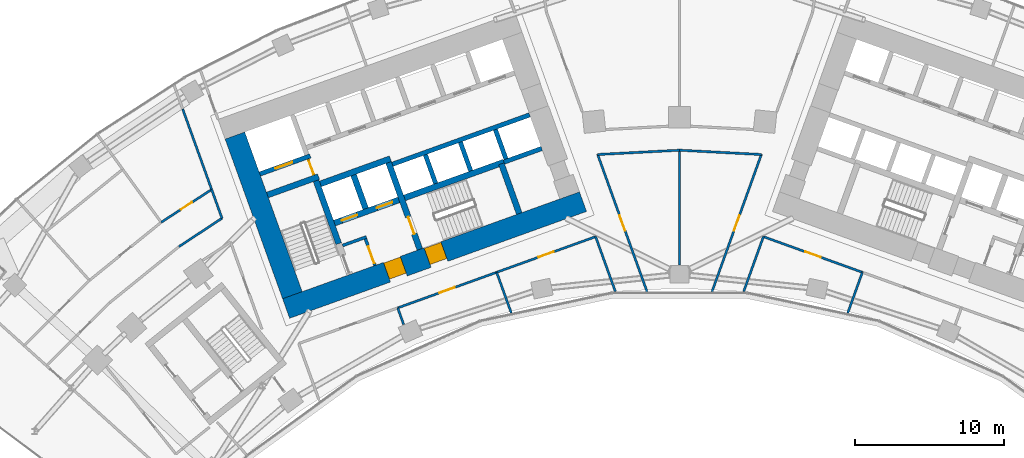
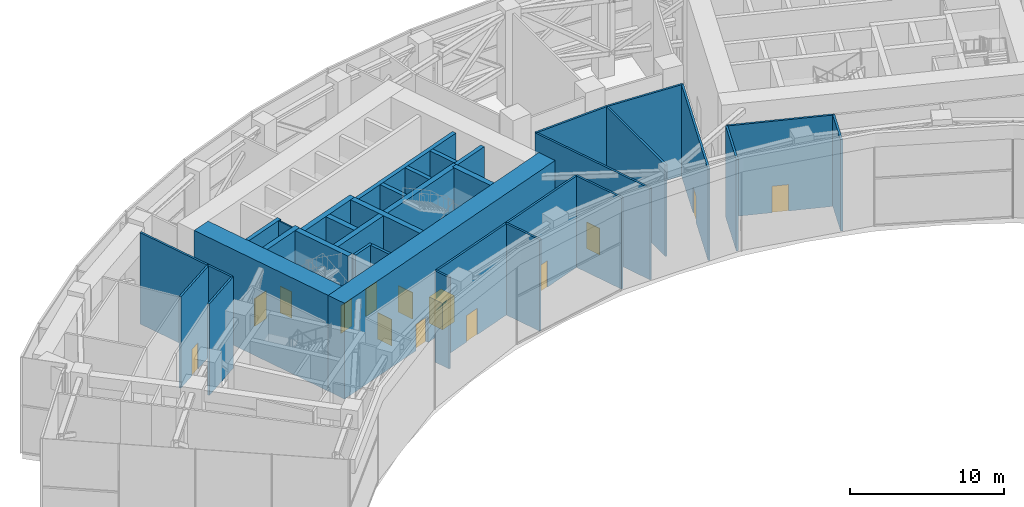
# One storey, part 23 of 30: 35 walls, 14 doors, 14 openings.
"""IFC4 building model written with IfcOpenShell, lengths in metres."""

from ifc_helpers import new_model, si_unit, direction, frame, frame_2d, origin, place, context, subcontext, project, spatial, rectangle, extrude, material, layer, layer_set, type_object, element, fill, save


model = new_model("IFC4")

# Units and contexts
model_context = context("Model", 3, precision=1e-05, world=origin(), true_north=direction((0.0, 1.0)))
body_context = subcontext(model_context, "Body", "Model", "MODEL_VIEW")
ifc_project = project(units=[si_unit("LENGTHUNIT", "METRE"), si_unit("AREAUNIT", "SQUARE_METRE"), si_unit("VOLUMEUNIT", "CUBIC_METRE"), si_unit("PLANEANGLEUNIT", "RADIAN"), si_unit("MASSUNIT", "GRAM", prefix="KILO")], contexts=[model_context])

# Site, building, storey
site_placement = place(None, origin())
site = spatial("IfcSite", under=ifc_project, at=site_placement, CompositionType="ELEMENT")
building_placement = place(site_placement, origin())
building = spatial("IfcBuilding", under=site, at=building_placement, Name="Stone Belt Terrace Tower", CompositionType="ELEMENT")
storey_placement = place(building_placement, frame((0.0, 0.0, 136.39990234375)))
storey = spatial("IfcBuildingStorey", under=building, at=storey_placement, Name="L33", CompositionType="ELEMENT", Elevation=136.39990234375)

# Wall, opening, door
ifc_material_1 = material(Name="Plasterboard partition")
ifc_layer_1 = layer(ifc_material_1, 0.10009765625)
ifc_layer_set_1 = layer_set([ifc_layer_1], Name="Core partition 100")
wall_type_1 = type_object("IfcWallType", Name="Core partition 100", PredefinedType="PARTITIONING", material=ifc_layer_set_1)
wall_1_placement = place(storey_placement, frame((-24.555908203125, 51.10400390625, 0.0), z_axis=(0.0, 0.0, 1.0), x_axis=(-0.338621735342, 0.94092258999, 0.0)))
wall_1 = element("IfcWall", 1, at=wall_1_placement, inside=storey, type_object=wall_type_1, Name="Core A wall", PredefinedType="PARTITIONING", context=body_context, shape_type="SweptSolid", body=[
    extrude(rectangle(XDim=1.14990234375, YDim=0.10009765625, at=frame_2d((0.574951171875, 0.0))), origin(), (0.0, 0.0, 1.0), 7.25),
])
opening_1_placement = place(wall_1_placement, frame((0.050048828125, 0.0, 0.0)))
opening_1 = element("IfcOpeningElement", 2, at=opening_1_placement, cuts=wall_1, Name="Opening L33-C01", PredefinedType="OPENING", context=body_context, shape_type="SweptSolid", body=[
    extrude(rectangle(XDim=1.0, YDim=2.10009765625, at=frame_2d((0.5, 1.050048828125))), frame((0.0, 0.06005859375, 0.0), z_axis=(0.0, -1.0, 0.0), x_axis=(1.0, 0.0, 0.0)), (0.0, 0.0, 1.0), 0.1201171875),
])
ifc_material_2 = material(Name="Timber door leaf", Category="wood")
door_type_1 = type_object("IfcDoorType", Name="Core room door 1000", OperationType="SINGLE_SWING_LEFT", PredefinedType="DOOR", material=ifc_material_2)
door_1_placement = place(opening_1_placement, origin())
door_1 = element("IfcDoor", 3, at=door_1_placement, inside=storey, type_object=door_type_1, Name="Service lift lobby door core A", OperationType="SINGLE_SWING_LEFT", OverallHeight=2.10009765625, OverallWidth=1.0, PredefinedType="DOOR", context=body_context, shape_type="SweptSolid", body=[
    extrude(rectangle(XDim=1.0, YDim=2.10009765625, at=frame_2d((0.5, 1.050048828125))), frame((0.0, 0.02490234375, 0.0), z_axis=(0.0, -1.0, 0.0), x_axis=(1.0, 0.0, 0.0)), (0.0, 0.0, 1.0), 0.050048828125),
])
fill(opening_1, door_1)

# Wall, openings, doors
ifc_material_3 = material(Name="Concrete B80", Category="concrete")
ifc_layer_2 = layer(ifc_material_3, 1.39990234375)
ifc_layer_set_2 = layer_set([ifc_layer_2], Name="Core wall 1400 B80")
wall_type_2 = type_object("IfcWallType", Name="Core wall 1400 B80", PredefinedType="SHEAR", material=ifc_layer_set_2)
wall_2_placement = place(storey_placement, frame((-26.430908203125, 42.139404296875, 0.0), z_axis=(0.0, 0.0, 1.0), x_axis=(0.940923374003, 0.33861955681, 0.0)))
wall_2 = element("IfcWall", 4, at=wall_2_placement, inside=storey, type_object=wall_type_2, Name="Core A wall concave L33", PredefinedType="SHEAR", context=body_context, shape_type="SweptSolid", body=[
    extrude(rectangle(XDim=21.199951171875, YDim=1.39990234375, at=frame_2d((10.60009765625, 0.0))), origin(), (0.0, 0.0, 1.0), 7.60009765625),
])
opening_2_placement = place(wall_2_placement, frame((7.199951171875, 0.0, 0.0)))
opening_2 = element("IfcOpeningElement", 5, at=opening_2_placement, cuts=wall_2, Name="Opening L33-C05", PredefinedType="OPENING", context=body_context, shape_type="SweptSolid", body=[
    extrude(rectangle(XDim=1.199951171875, YDim=2.10009765625, at=frame_2d((0.60009765625, 1.050048828125))), frame((0.0, 0.7099609375, 0.0), z_axis=(0.0, -1.0, 0.0), x_axis=(1.0, 0.0, 0.0)), (0.0, 0.0, 1.0), 1.419921875),
])
opening_3_placement = place(wall_2_placement, frame((10.099853515625, 0.0, 0.0)))
opening_3 = element("IfcOpeningElement", 6, at=opening_3_placement, cuts=wall_2, Name="Opening L33-C07", PredefinedType="OPENING", context=body_context, shape_type="SweptSolid", body=[
    extrude(rectangle(XDim=1.199951171875, YDim=2.10009765625, at=frame_2d((0.60009765625, 1.050048828125))), frame((0.0, 0.7099609375, 0.0), z_axis=(0.0, -1.0, 0.0), x_axis=(1.0, 0.0, 0.0)), (0.0, 0.0, 1.0), 1.419921875),
])
ifc_material_4 = material(Name="Steel door leaf", Category="steel")
door_type_2 = type_object("IfcDoorType", Name="Fire-fighting lobby door 1200", OperationType="SINGLE_SWING_LEFT", PredefinedType="DOOR", material=ifc_material_4)
door_2_placement = place(opening_2_placement, origin())
door_2 = element("IfcDoor", 7, at=door_2_placement, inside=storey, type_object=door_type_2, Name="Fire-fighting lobby door core A", OperationType="SINGLE_SWING_LEFT", OverallHeight=2.10009765625, OverallWidth=1.199951171875, PredefinedType="DOOR", context=body_context, shape_type="SweptSolid", body=[
    extrude(rectangle(XDim=1.199951171875, YDim=2.10009765625, at=frame_2d((0.60009765625, 1.050048828125))), frame((0.0, 0.655029296875, 0.0), z_axis=(0.0, -1.0, 0.0), x_axis=(1.0, 0.0, 0.0)), (0.0, 0.0, 1.0), 1.14990234375),
])
fill(opening_2, door_2)
door_type_3 = type_object("IfcDoorType", Name="Stair door 1200", OperationType="SINGLE_SWING_LEFT", PredefinedType="DOOR", material=ifc_material_4)
door_3_placement = place(opening_3_placement, origin())
door_3 = element("IfcDoor", 8, at=door_3_placement, inside=storey, type_object=door_type_3, Name="Stair 2 exit door core A", OperationType="SINGLE_SWING_RIGHT", OverallHeight=2.10009765625, OverallWidth=1.199951171875, PredefinedType="DOOR", context=body_context, shape_type="SweptSolid", body=[
    extrude(rectangle(XDim=1.199951171875, YDim=2.10009765625, at=frame_2d((0.60009765625, 1.050048828125))), frame((0.0, 0.655029296875, 0.0), z_axis=(0.0, -1.0, 0.0), x_axis=(1.0, 0.0, 0.0)), (0.0, 0.0, 1.0), 1.14990234375),
])
fill(opening_3, door_3)

# Walls
wall_3_placement = place(storey_placement, frame((-26.00927734375, 43.03515625, 0.0), z_axis=(0.0, 0.0, 1.0), x_axis=(-0.338625431531, 0.940921259788, 0.0)))
element("IfcWall", 9, at=wall_3_placement, inside=storey, type_object=wall_type_2, Name="Core A wall end_a L33", PredefinedType="SHEAR", context=body_context, shape_type="SweptSolid", body=[
    extrude(rectangle(XDim=11.400146484375, YDim=1.39990234375, at=frame_2d((5.7001953125, 0.0))), origin(), (0.0, 0.0, 1.0), 7.60009765625),
])
ifc_layer_3 = layer(ifc_material_3, 0.39990234375)
ifc_layer_set_3 = layer_set([ifc_layer_3], Name="Fire-fighting lift shaft wall 400")
wall_type_3 = type_object("IfcWallType", Name="Fire-fighting lift shaft wall 400", PredefinedType="SHEAR", material=ifc_layer_set_3)
wall_4_placement = place(storey_placement, frame((-24.130615234375, 50.512939453125, 0.0), z_axis=(0.0, 0.0, 1.0), x_axis=(0.94091168377, 0.338652038744, 0.0)))
element("IfcWall", 10, at=wall_4_placement, inside=storey, type_object=wall_type_3, Name="Core A wall", PredefinedType="SHEAR", context=body_context, shape_type="SweptSolid", body=[
    extrude(rectangle(XDim=5.000244140625, YDim=0.39990234375, at=frame_2d((2.5, 0.0))), origin(), (0.0, 0.0, 1.0), 7.25),
])
wall_5_placement = place(storey_placement, frame((-21.0859375, 48.845458984375, 0.0), z_axis=(0.0, 0.0, 1.0), x_axis=(-0.338629416206, 0.940919825745, 0.0)))
element("IfcWall", 11, at=wall_5_placement, inside=storey, type_object=wall_type_3, Name="Core A wall", PredefinedType="SHEAR", context=body_context, shape_type="SweptSolid", body=[
    extrude(rectangle(XDim=2.400146484375, YDim=0.39990234375, at=frame_2d((1.2001953125, 0.0))), origin(), (0.0, 0.0, 1.0), 7.25),
])

# Wall, opening, door
ifc_layer_4 = layer(ifc_material_3, 0.300048828125)
ifc_layer_set_4 = layer_set([ifc_layer_4], Name="Lift shaft wall 300")
wall_type_4 = type_object("IfcWallType", Name="Lift shaft wall 300", PredefinedType="SHEAR", material=ifc_layer_set_4)
wall_6_placement = place(storey_placement, frame((-28.195068359375, 51.17578125, 0.0), z_axis=(0.0, 0.0, 1.0), x_axis=(0.940901243567, 0.338681044427, 0.0)))
wall_6 = element("IfcWall", 12, at=wall_6_placement, inside=storey, type_object=wall_type_4, Name="Core A wall", PredefinedType="SHEAR", context=body_context, shape_type="SweptSolid", body=[
    extrude(rectangle(XDim=3.599853515625, YDim=0.300048828125, at=frame_2d((1.7998046875, 0.0))), origin(), (0.0, 0.0, 1.0), 7.25),
])
opening_4_placement = place(wall_6_placement, frame((1.1201171875, 0.0, 0.0)))
opening_4 = element("IfcOpeningElement", 13, at=opening_4_placement, cuts=wall_6, Name="Opening L33-LD09", PredefinedType="OPENING", context=body_context, shape_type="SweptSolid", body=[
    extrude(rectangle(XDim=1.199951171875, YDim=2.199951171875, at=frame_2d((0.60009765625, 1.10009765625))), frame((0.0, 0.159912109375, 0.0), z_axis=(0.0, -1.0, 0.0), x_axis=(1.0, 0.0, 0.0)), (0.0, 0.0, 1.0), 0.320068359375),
])
ifc_material_5 = material(Name="Stainless steel door leaf", Category="steel")
door_type_4 = type_object("IfcDoorType", Name="Landing door 1200", OperationType="SLIDING_TO_LEFT", PredefinedType="DOOR", material=ifc_material_5)
door_4_placement = place(opening_4_placement, origin())
door_4 = element("IfcDoor", 14, at=door_4_placement, inside=storey, type_object=door_type_4, Name="Landing door SV1 core A", OperationType="SLIDING_TO_LEFT", OverallHeight=2.199951171875, OverallWidth=1.199951171875, PredefinedType="DOOR", context=body_context, shape_type="SweptSolid", body=[
    extrude(rectangle(XDim=1.199951171875, YDim=2.199951171875, at=frame_2d((0.60009765625, 1.10009765625))), frame((0.0, 0.02490234375, 0.0), z_axis=(0.0, -1.0, 0.0), x_axis=(1.0, 0.0, 0.0)), (0.0, 0.0, 1.0), 0.050048828125),
])
fill(opening_4, door_4)

# Walls
wall_7_placement = place(storey_placement, frame((-19.29052734375, 51.829833984375, 0.0), z_axis=(0.0, 0.0, 1.0), x_axis=(0.940925833398, 0.338612722803, 0.0)))
element("IfcWall", 15, at=wall_7_placement, inside=storey, type_object=wall_type_4, Name="Core A wall", PredefinedType="SHEAR", context=body_context, shape_type="SweptSolid", body=[
    extrude(rectangle(XDim=9.7998046875, YDim=0.300048828125, at=frame_2d((4.89990234375, 0.0))), origin(), (0.0, 0.0, 1.0), 7.25),
])
for number, where, z_axis, x_axis, name in (
    (16, (-16.38134765625, 50.53857421875, 0.0), (0.0, 0.0, 1.0), (-0.338681515556, 0.940901073982, 0.0), "Core A wall"),
    (17, (-14.029052734375, 51.38525390625, 0.0), (0.0, 0.0, 1.0), (-0.338681515556, 0.940901073982, 0.0), "Core A wall"),
):
    element("IfcWall", number, at=place(storey_placement, frame(where, z_axis=z_axis, x_axis=x_axis)), inside=storey, type_object=wall_type_4, Name=name, PredefinedType="SHEAR", context=body_context, shape_type="SweptSolid", body=[
        extrude(rectangle(XDim=2.050048828125, YDim=0.300048828125, at=frame_2d((1.02490234375, 0.0))), origin(), (0.0, 0.0, 1.0), 7.25),
    ])
wall_8_placement = place(storey_placement, frame((-11.797119140625, 51.975830078125, 0.0), z_axis=(0.0, 0.0, 1.0), x_axis=(0.940910465161, 0.33865542451, 0.0)))
element("IfcWall", 18, at=wall_8_placement, inside=storey, type_object=wall_type_4, Name="Core A wall", PredefinedType="SHEAR", context=body_context, shape_type="SweptSolid", body=[
    extrude(rectangle(XDim=2.69970703125, YDim=0.300048828125, at=frame_2d((1.349853515625, 0.0))), origin(), (0.0, 0.0, 1.0), 7.25),
])
wall_9_placement = place(storey_placement, frame((-11.659912109375, 52.184814453125, 0.0), z_axis=(0.0, 0.0, 1.0), x_axis=(-0.338670064856, 0.940905195634, 0.0)))
element("IfcWall", 19, at=wall_9_placement, inside=storey, type_object=wall_type_4, Name="Core A wall", PredefinedType="SHEAR", context=body_context, shape_type="SweptSolid", body=[
    extrude(rectangle(XDim=2.099853515625, YDim=0.300048828125, at=frame_2d((1.0498046875, 0.0))), origin(), (0.0, 0.0, 1.0), 7.25),
])
ifc_material_6 = material(Name="Gypsum board partition")
ifc_layer_5 = layer(ifc_material_6, 0.14990234375)
ifc_layer_set_5 = layer_set([ifc_layer_5], Name="PARTITION 150 EI 60")
wall_type_5 = type_object("IfcWallType", Name="PARTITION 150 EI 60", PredefinedType="PARTITIONING", material=ifc_layer_set_5)
wall_10_placement = place(storey_placement, frame((-30.737060546875, 48.197021484375, 0.0), z_axis=(0.0, 0.0, 1.0), x_axis=(-0.338522672426, 0.940958235127, 0.0)))
element("IfcWall", 20, at=wall_10_placement, inside=storey, type_object=wall_type_5, Name="L33/wall/i005", PredefinedType="PARTITIONING", context=body_context, shape_type="SweptSolid", body=[
    extrude(rectangle(XDim=2.064697265625, YDim=0.14990234375, at=frame_2d((1.0322265625, 0.0))), origin(), (0.0, 0.0, 1.0), 7.25),
])
wall_11_placement = place(storey_placement, frame((-31.431884765625, 50.12890625, 0.0), z_axis=(0.0, 0.0, 1.0), x_axis=(-0.338623286754, 0.940922031662, 0.0)))
element("IfcWall", 21, at=wall_11_placement, inside=storey, type_object=wall_type_5, Name="L33/wall/i006-1", PredefinedType="PARTITIONING", context=body_context, shape_type="SweptSolid", body=[
    extrude(rectangle(XDim=5.752685546875, YDim=0.14990234375, at=frame_2d((2.87646484375, 0.0))), origin(), (0.0, 0.0, 1.0), 7.25),
])
wall_12_placement = place(storey_placement, frame((-4.31005859375, 43.27880859375, 0.0), z_axis=(0.0, 0.0, 1.0), x_axis=(-0.338569683937, 0.940941320763, 0.0)))
element("IfcWall", 22, at=wall_12_placement, inside=storey, type_object=wall_type_5, Name="L33/wall/i007", PredefinedType="PARTITIONING", context=body_context, shape_type="SweptSolid", body=[
    extrude(rectangle(XDim=3.9248046875, YDim=0.14990234375, at=frame_2d((1.96240234375, 0.0))), origin(), (0.0, 0.0, 1.0), 7.25),
])

# Wall, opening, door
wall_13_placement = place(storey_placement, frame((-5.5009765625, 52.492919921875, 0.0), z_axis=(0.0, 0.0, 1.0), x_axis=(0.338654259988, -0.940910884299, 0.0)))
wall_13 = element("IfcWall", 23, at=wall_13_placement, inside=storey, type_object=wall_type_5, Name="L33/wall/i009", PredefinedType="PARTITIONING", context=body_context, shape_type="SweptSolid", body=[
    extrude(rectangle(XDim=9.81103515625, YDim=0.14990234375, at=frame_2d((4.905517578125, 0.0))), origin(), (0.0, 0.0, 1.0), 7.25),
])
opening_5_placement = place(wall_13_placement, frame((4.35546875, 0.0, 0.0)))
opening_5 = element("IfcOpeningElement", 24, at=opening_5_placement, cuts=wall_13, Name="Opening D-T2-28", PredefinedType="OPENING", context=body_context, shape_type="SweptSolid", body=[
    extrude(rectangle(XDim=1.10009765625, YDim=2.10009765625, at=frame_2d((0.550048828125, 1.050048828125))), frame((0.0, 0.0849609375, 0.0), z_axis=(0.0, -1.0, 0.0), x_axis=(1.0, 0.0, 0.0)), (0.0, 0.0, 1.0), 0.169921875),
])
ifc_material_7 = material(Name="Steel fire door set", Category="steel")
door_type_5 = type_object("IfcDoorType", Name="SERVICE ROOM DOOR 1100 X 2100", OperationType="NOTDEFINED", PredefinedType="DOOR", material=ifc_material_7)
door_5_placement = place(opening_5_placement, origin())
door_5 = element("IfcDoor", 25, at=door_5_placement, inside=storey, type_object=door_type_5, Name="L33/door/i28", OperationType="SINGLE_SWING_RIGHT", OverallHeight=2.10009765625, OverallWidth=1.10009765625, PredefinedType="DOOR", context=body_context, shape_type="SweptSolid", body=[
    extrude(rectangle(XDim=1.10009765625, YDim=2.10009765625, at=frame_2d((0.550048828125, 1.050048828125))), frame((0.0, 0.02490234375, 0.0), z_axis=(0.0, -1.0, 0.0), x_axis=(1.0, 0.0, 0.0)), (0.0, 0.0, 1.0), 0.050048828125),
])
fill(opening_5, door_5)

wall_14_placement = place(storey_placement, frame((-12.280029296875, 44.574951171875, 0.0), z_axis=(0.0, 0.0, 1.0), x_axis=(-0.940930050063, -0.338601005444, 0.0)))
wall_14 = element("IfcWall", 26, at=wall_14_placement, inside=storey, type_object=wall_type_5, Name="L33/wall/i013", PredefinedType="PARTITIONING", context=body_context, shape_type="SweptSolid", body=[
    extrude(rectangle(XDim=7.0791015625, YDim=0.14990234375, at=frame_2d((3.53955078125, 0.0))), origin(), (0.0, 0.0, 1.0), 7.25),
])
opening_6_placement = place(wall_14_placement, frame((2.989501953125, 0.0, 0.0)))
opening_6 = element("IfcOpeningElement", 27, at=opening_6_placement, cuts=wall_14, Name="Opening D-T2-02", PredefinedType="OPENING", context=body_context, shape_type="SweptSolid", body=[
    extrude(rectangle(XDim=1.10009765625, YDim=2.10009765625, at=frame_2d((0.550048828125, 1.050048828125))), frame((0.0, 0.0849609375, 0.0), z_axis=(0.0, -1.0, 0.0), x_axis=(1.0, 0.0, 0.0)), (0.0, 0.0, 1.0), 0.169921875),
])
door_6_placement = place(opening_6_placement, origin())
door_6 = element("IfcDoor", 28, at=door_6_placement, inside=storey, type_object=door_type_5, Name="L33/door/i02", OperationType="SINGLE_SWING_RIGHT", OverallHeight=2.10009765625, OverallWidth=1.10009765625, PredefinedType="DOOR", context=body_context, shape_type="SweptSolid", body=[
    extrude(rectangle(XDim=1.10009765625, YDim=2.10009765625, at=frame_2d((0.550048828125, 1.050048828125))), frame((0.0, 0.02490234375, 0.0), z_axis=(0.0, -1.0, 0.0), x_axis=(1.0, 0.0, 0.0)), (0.0, 0.0, 1.0), 0.050048828125),
])
fill(opening_6, door_6)

wall_15_placement = place(storey_placement, frame((-5.636962890625, 46.966064453125, 0.0), z_axis=(0.0, 0.0, 1.0), x_axis=(-0.940923049066, -0.338620459714, 0.0)))
wall_15 = element("IfcWall", 29, at=wall_15_placement, inside=storey, type_object=wall_type_5, Name="L33/wall/i014", PredefinedType="PARTITIONING", context=body_context, shape_type="SweptSolid", body=[
    extrude(rectangle(XDim=7.07275390625, YDim=0.14990234375, at=frame_2d((3.536376953125, 0.0))), origin(), (0.0, 0.0, 1.0), 7.25),
])
opening_7_placement = place(wall_15_placement, frame((2.986328125, 0.0, 0.0)))
opening_7 = element("IfcOpeningElement", 30, at=opening_7_placement, cuts=wall_15, Name="Opening D-T2-03", PredefinedType="OPENING", context=body_context, shape_type="SweptSolid", body=[
    extrude(rectangle(XDim=1.10009765625, YDim=2.10009765625, at=frame_2d((0.550048828125, 1.050048828125))), frame((0.0, 0.0849609375, 0.0), z_axis=(0.0, -1.0, 0.0), x_axis=(1.0, 0.0, 0.0)), (0.0, 0.0, 1.0), 0.169921875),
])
door_7_placement = place(opening_7_placement, origin())
door_7 = element("IfcDoor", 31, at=door_7_placement, inside=storey, type_object=door_type_5, Name="L33/door/i03", OperationType="SINGLE_SWING_RIGHT", OverallHeight=2.10009765625, OverallWidth=1.10009765625, PredefinedType="DOOR", context=body_context, shape_type="SweptSolid", body=[
    extrude(rectangle(XDim=1.10009765625, YDim=2.10009765625, at=frame_2d((0.550048828125, 1.050048828125))), frame((0.0, 0.02490234375, 0.0), z_axis=(0.0, -1.0, 0.0), x_axis=(1.0, 0.0, 0.0)), (0.0, 0.0, 1.0), 0.050048828125),
])
fill(opening_7, door_7)

# Walls
wall_16_placement = place(storey_placement, frame((-18.93505859375, 42.179931640625, 0.0), z_axis=(0.0, 0.0, 1.0), x_axis=(0.338639426821, -0.940916222946, 0.0)))
element("IfcWall", 32, at=wall_16_placement, inside=storey, type_object=wall_type_5, Name="L33/wall/i015", PredefinedType="PARTITIONING", context=body_context, shape_type="SweptSolid", body=[
    extrude(rectangle(XDim=1.188232421875, YDim=0.14990234375, at=frame_2d((0.59423828125, 0.0))), origin(), (0.0, 0.0, 1.0), 7.25),
])
wall_17_placement = place(storey_placement, frame((-12.285888671875, 44.572998046875, 0.0), z_axis=(0.0, 0.0, 1.0), x_axis=(0.33837582911, -0.94101105109, 0.0)))
element("IfcWall", 33, at=wall_17_placement, inside=storey, type_object=wall_type_5, Name="L33/wall/i016", PredefinedType="PARTITIONING", context=body_context, shape_type="SweptSolid", body=[
    extrude(rectangle(XDim=2.91845703125, YDim=0.14990234375, at=frame_2d((1.459228515625, 0.0))), origin(), (0.0, 0.0, 1.0), 7.25),
])
wall_18_placement = place(storey_placement, frame((5.638916015625, 46.971923828125, 0.0), z_axis=(0.0, 0.0, 1.0), x_axis=(-0.338569683937, -0.940941320763, 0.0)))
element("IfcWall", 34, at=wall_18_placement, inside=storey, type_object=wall_type_5, Name="L33/wall/i018", PredefinedType="PARTITIONING", context=body_context, shape_type="SweptSolid", body=[
    extrude(rectangle(XDim=3.9248046875, YDim=0.14990234375, at=frame_2d((1.96240234375, 0.0))), origin(), (0.0, 0.0, 1.0), 7.25),
])

# Wall, opening, door
wall_19_placement = place(storey_placement, frame((2.178466796875, 43.26171875, 0.0), z_axis=(0.0, 0.0, 1.0), x_axis=(0.338654259988, 0.940910884299, 0.0)))
wall_19 = element("IfcWall", 35, at=wall_19_placement, inside=storey, type_object=wall_type_5, Name="L33/wall/i020", PredefinedType="PARTITIONING", context=body_context, shape_type="SweptSolid", body=[
    extrude(rectangle(XDim=9.81103515625, YDim=0.14990234375, at=frame_2d((4.905517578125, 0.0))), origin(), (0.0, 0.0, 1.0), 7.25),
])
opening_8_placement = place(wall_19_placement, frame((4.35546875, 0.0, 0.0)))
opening_8 = element("IfcOpeningElement", 36, at=opening_8_placement, cuts=wall_19, Name="Opening D-T2-29", PredefinedType="OPENING", context=body_context, shape_type="SweptSolid", body=[
    extrude(rectangle(XDim=1.10009765625, YDim=2.10009765625, at=frame_2d((0.550048828125, 1.050048828125))), frame((0.0, 0.0849609375, 0.0), z_axis=(0.0, -1.0, 0.0), x_axis=(1.0, 0.0, 0.0)), (0.0, 0.0, 1.0), 0.169921875),
])
door_8_placement = place(opening_8_placement, origin())
door_8 = element("IfcDoor", 37, at=door_8_placement, inside=storey, type_object=door_type_5, Name="L33/door/i29", OperationType="SINGLE_SWING_RIGHT", OverallHeight=2.10009765625, OverallWidth=1.10009765625, PredefinedType="DOOR", context=body_context, shape_type="SweptSolid", body=[
    extrude(rectangle(XDim=1.10009765625, YDim=2.10009765625, at=frame_2d((0.550048828125, 1.050048828125))), frame((0.0, 0.02490234375, 0.0), z_axis=(0.0, -1.0, 0.0), x_axis=(1.0, 0.0, 0.0)), (0.0, 0.0, 1.0), 0.050048828125),
])
fill(opening_8, door_8)

wall_20_placement = place(storey_placement, frame((12.2919921875, 44.571044921875, 0.0), z_axis=(0.0, 0.0, 1.0), x_axis=(-0.940923049066, 0.338620459714, 0.0)))
wall_20 = element("IfcWall", 38, at=wall_20_placement, inside=storey, type_object=wall_type_5, Name="L33/wall/i028", PredefinedType="PARTITIONING", context=body_context, shape_type="SweptSolid", body=[
    extrude(rectangle(XDim=7.07275390625, YDim=0.14990234375, at=frame_2d((3.536376953125, 0.0))), origin(), (0.0, 0.0, 1.0), 7.25),
])
opening_9_placement = place(wall_20_placement, frame((2.986328125, 0.0, 0.0)))
opening_9 = element("IfcOpeningElement", 39, at=opening_9_placement, cuts=wall_20, Name="Opening D-T2-06", PredefinedType="OPENING", context=body_context, shape_type="SweptSolid", body=[
    extrude(rectangle(XDim=1.10009765625, YDim=2.10009765625, at=frame_2d((0.550048828125, 1.050048828125))), frame((0.0, 0.0849609375, 0.0), z_axis=(0.0, -1.0, 0.0), x_axis=(1.0, 0.0, 0.0)), (0.0, 0.0, 1.0), 0.169921875),
])
door_9_placement = place(opening_9_placement, origin())
door_9 = element("IfcDoor", 40, at=door_9_placement, inside=storey, type_object=door_type_5, Name="L33/door/i06", OperationType="SINGLE_SWING_RIGHT", OverallHeight=2.10009765625, OverallWidth=1.10009765625, PredefinedType="DOOR", context=body_context, shape_type="SweptSolid", body=[
    extrude(rectangle(XDim=1.10009765625, YDim=2.10009765625, at=frame_2d((0.550048828125, 1.050048828125))), frame((0.0, 0.02490234375, 0.0), z_axis=(0.0, -1.0, 0.0), x_axis=(1.0, 0.0, 0.0)), (0.0, 0.0, 1.0), 0.050048828125),
])
fill(opening_9, door_9)

# Walls
wall_21_placement = place(storey_placement, frame((12.285888671875, 44.572998046875, 0.0), z_axis=(0.0, 0.0, 1.0), x_axis=(-0.33837582911, -0.94101105109, 0.0)))
element("IfcWall", 41, at=wall_21_placement, inside=storey, type_object=wall_type_5, Name="L33/wall/i031", PredefinedType="PARTITIONING", context=body_context, shape_type="SweptSolid", body=[
    extrude(rectangle(XDim=2.91845703125, YDim=0.14990234375, at=frame_2d((1.459228515625, 0.0))), origin(), (0.0, 0.0, 1.0), 7.25),
])
wall_22_placement = place(storey_placement, frame((-33.635986328125, 46.2958984375, 0.0), z_axis=(0.0, 0.0, 1.0), x_axis=(0.835274160171, 0.549833681535, 0.0)))
element("IfcWall", 42, at=wall_22_placement, inside=storey, type_object=wall_type_5, Name="L33/wall/i043", PredefinedType="PARTITIONING", context=body_context, shape_type="SweptSolid", body=[
    extrude(rectangle(XDim=3.46826171875, YDim=0.14990234375, at=frame_2d((1.734130859375, 0.0))), origin(), (0.0, 0.0, 1.0), 7.25),
])

# Wall, opening, door
wall_23_placement = place(storey_placement, frame((-34.824951171875, 47.931884765625, 0.0), z_axis=(0.0, 0.0, 1.0), x_axis=(0.838660143757, 0.544655086521, 0.0)))
wall_23 = element("IfcWall", 43, at=wall_23_placement, inside=storey, type_object=wall_type_5, Name="L33/wall/i049", PredefinedType="PARTITIONING", context=body_context, shape_type="SweptSolid", body=[
    extrude(rectangle(XDim=4.043212890625, YDim=0.14990234375, at=frame_2d((2.021484375, 0.0))), origin(), (0.0, 0.0, 1.0), 7.25),
])
opening_10_placement = place(wall_23_placement, frame((1.571533203125, 0.0, 0.0)))
opening_10 = element("IfcOpeningElement", 44, at=opening_10_placement, cuts=wall_23, Name="Opening D-T2-18", PredefinedType="OPENING", context=body_context, shape_type="SweptSolid", body=[
    extrude(rectangle(XDim=0.89990234375, YDim=2.10009765625, at=frame_2d((0.449951171875, 1.050048828125))), frame((0.0, 0.0849609375, 0.0), z_axis=(0.0, -1.0, 0.0), x_axis=(1.0, 0.0, 0.0)), (0.0, 0.0, 1.0), 0.169921875),
])
door_type_6 = type_object("IfcDoorType", Name="OFFICE DOOR 900 X 2100", OperationType="NOTDEFINED", PredefinedType="DOOR", material=ifc_material_2)
door_10_placement = place(opening_10_placement, origin())
door_10 = element("IfcDoor", 45, at=door_10_placement, inside=storey, type_object=door_type_6, Name="L33/door/i18", OperationType="SINGLE_SWING_RIGHT", OverallHeight=2.10009765625, OverallWidth=0.89990234375, PredefinedType="DOOR", context=body_context, shape_type="SweptSolid", body=[
    extrude(rectangle(XDim=0.89990234375, YDim=2.10009765625, at=frame_2d((0.449951171875, 1.050048828125))), frame((0.0, 0.02490234375, 0.0), z_axis=(0.0, -1.0, 0.0), x_axis=(1.0, 0.0, 0.0)), (0.0, 0.0, 1.0), 0.050048828125),
])
fill(opening_10, door_10)

# Walls
for number, where, z_axis, x_axis, name in (
    (46, (0.0, 52.77490234375, 0.0), (0.0, 0.0, 1.0), (-0.998632852887, -0.052272604047, 0.0), "L33/wall/i079"),
    (47, (5.4990234375, 52.487060546875, 0.0), (0.0, 0.0, 1.0), (-0.998632852887, 0.052272604047, 0.0), "L33/wall/i080"),
):
    element("IfcWall", number, at=place(storey_placement, frame(where, z_axis=z_axis, x_axis=x_axis)), inside=storey, type_object=wall_type_5, Name=name, PredefinedType="PARTITIONING", context=body_context, shape_type="SweptSolid", body=[
        extrude(rectangle(XDim=5.506591796875, YDim=0.14990234375, at=frame_2d((2.75341796875, 0.0))), origin(), (0.0, 0.0, 1.0), 7.25),
    ])
wall_24_placement = place(storey_placement, frame((0.0, 52.77490234375, 0.0), z_axis=(0.0, 0.0, 1.0), x_axis=(0.0, -1.0, 0.0)))
element("IfcWall", 48, at=wall_24_placement, inside=storey, type_object=wall_type_5, Name="L33/wall/i083", PredefinedType="PARTITIONING", context=body_context, shape_type="SweptSolid", body=[
    extrude(rectangle(XDim=7.724853515625, YDim=0.14990234375, at=frame_2d((3.8623046875, 0.0))), origin(), (0.0, 0.0, 1.0), 7.25),
])
ifc_material_8 = material(Name="Concrete masonry block", Category="masonry")
ifc_layer_6 = layer(ifc_material_8, 0.199951171875)
ifc_layer_set_6 = layer_set([ifc_layer_6], Name="Rated lobby wall 200")
wall_type_6 = type_object("IfcWallType", Name="Rated lobby wall 200", PredefinedType="PARTITIONING", material=ifc_layer_set_6)
wall_25_placement = place(storey_placement, frame((-22.640625, 46.373046875, 0.0), z_axis=(0.0, 0.0, 1.0), x_axis=(0.940966110313, 0.338500781747, 0.0)))
element("IfcWall", 49, at=wall_25_placement, inside=storey, type_object=wall_type_6, Name="Core A wall", PredefinedType="PARTITIONING", context=body_context, shape_type="SweptSolid", body=[
    extrude(rectangle(XDim=1.699951171875, YDim=0.199951171875, at=frame_2d((0.85009765625, 0.0))), origin(), (0.0, 0.0, 1.0), 7.25),
])

# Wall, opening, door
wall_26_placement = place(storey_placement, frame((-20.4580078125, 45.032958984375, 0.0), z_axis=(0.0, 0.0, 1.0), x_axis=(-0.338573865316, 0.940939816208, 0.0)))
wall_26 = element("IfcWall", 50, at=wall_26_placement, inside=storey, type_object=wall_type_6, Name="Core A wall", PredefinedType="PARTITIONING", context=body_context, shape_type="SweptSolid", body=[
    extrude(rectangle(XDim=1.900146484375, YDim=0.199951171875, at=frame_2d((0.9501953125, 0.0))), origin(), (0.0, 0.0, 1.0), 7.25),
])
opening_11_placement = place(wall_26_placement, frame((0.14990234375, 0.0, 0.0)))
opening_11 = element("IfcOpeningElement", 51, at=opening_11_placement, cuts=wall_26, Name="Opening L33-C04", PredefinedType="OPENING", context=body_context, shape_type="SweptSolid", body=[
    extrude(rectangle(XDim=1.199951171875, YDim=2.10009765625, at=frame_2d((0.60009765625, 1.050048828125))), frame((0.0, 0.10986328125, 0.0), z_axis=(0.0, -1.0, 0.0), x_axis=(1.0, 0.0, 0.0)), (0.0, 0.0, 1.0), 0.219970703125),
])
door_11_placement = place(opening_11_placement, origin())
door_11 = element("IfcDoor", 52, at=door_11_placement, inside=storey, type_object=door_type_3, Name="Stair airlock door core A", OperationType="SINGLE_SWING_LEFT", OverallHeight=2.10009765625, OverallWidth=1.199951171875, PredefinedType="DOOR", context=body_context, shape_type="SweptSolid", body=[
    extrude(rectangle(XDim=1.199951171875, YDim=2.10009765625, at=frame_2d((0.60009765625, 1.050048828125))), frame((0.0, 0.02490234375, 0.0), z_axis=(0.0, -1.0, 0.0), x_axis=(1.0, 0.0, 0.0)), (0.0, 0.0, 1.0), 0.050048828125),
])
fill(opening_11, door_11)

# Walls
ifc_layer_7 = layer(ifc_material_3, 0.39990234375)
ifc_layer_set_7 = layer_set([ifc_layer_7], Name="Stair enclosure wall 400")
wall_type_7 = type_object("IfcWallType", Name="Stair enclosure wall 400", PredefinedType="SHEAR", material=ifc_layer_set_7)
wall_27_placement = place(storey_placement, frame((-27.687255859375, 49.764404296875, 0.0), z_axis=(0.0, 0.0, 1.0), x_axis=(0.940918954884, 0.338631835981, 0.0)))
element("IfcWall", 53, at=wall_27_placement, inside=storey, type_object=wall_type_7, Name="Core A wall", PredefinedType="SHEAR", context=body_context, shape_type="SweptSolid", body=[
    extrude(rectangle(XDim=3.650146484375, YDim=0.39990234375, at=frame_2d((1.8251953125, 0.0))), origin(), (0.0, 0.0, 1.0), 7.25),
])
wall_28_placement = place(storey_placement, frame((-22.896484375, 46.493408203125, 0.0), z_axis=(0.0, 0.0, 1.0), x_axis=(-0.338648384874, 0.940912998859, 0.0)))
element("IfcWall", 54, at=wall_28_placement, inside=storey, type_object=wall_type_7, Name="Core A wall", PredefinedType="SHEAR", context=body_context, shape_type="SweptSolid", body=[
    extrude(rectangle(XDim=4.5, YDim=0.39990234375, at=frame_2d((2.25, 0.0))), origin(), (0.0, 0.0, 1.0), 7.25),
])

# Wall, openings, doors
wall_29_placement = place(storey_placement, frame((-23.182373046875, 47.87841796875, 0.0), z_axis=(0.0, 0.0, 1.0), x_axis=(0.940921101762, 0.338625870628, 0.0)))
wall_29 = element("IfcWall", 55, at=wall_29_placement, inside=storey, type_object=wall_type_7, Name="Core A wall", PredefinedType="SHEAR", context=body_context, shape_type="SweptSolid", body=[
    extrude(rectangle(XDim=12.10009765625, YDim=0.39990234375, at=frame_2d((6.050048828125, 0.0))), origin(), (0.0, 0.0, 1.0), 7.25),
])
opening_12_placement = place(wall_29_placement, frame((0.52001953125, 0.0, 0.0)))
opening_12 = element("IfcOpeningElement", 56, at=opening_12_placement, cuts=wall_29, Name="Opening L33-LD07", PredefinedType="OPENING", context=body_context, shape_type="SweptSolid", body=[
    extrude(rectangle(XDim=1.10009765625, YDim=2.199951171875, at=frame_2d((0.550048828125, 1.10009765625))), frame((0.0, 0.2099609375, 0.0), z_axis=(0.0, -1.0, 0.0), x_axis=(1.0, 0.0, 0.0)), (0.0, 0.0, 1.0), 0.419921875),
])
opening_13_placement = place(wall_29_placement, frame((3.02001953125, 0.0, 0.0)))
opening_13 = element("IfcOpeningElement", 57, at=opening_13_placement, cuts=wall_29, Name="Opening L33-LD08", PredefinedType="OPENING", context=body_context, shape_type="SweptSolid", body=[
    extrude(rectangle(XDim=1.10009765625, YDim=2.199951171875, at=frame_2d((0.550048828125, 1.10009765625))), frame((0.0, 0.2099609375, 0.0), z_axis=(0.0, -1.0, 0.0), x_axis=(1.0, 0.0, 0.0)), (0.0, 0.0, 1.0), 0.419921875),
])
door_type_7 = type_object("IfcDoorType", Name="Landing door 1100", OperationType="SLIDING_TO_LEFT", PredefinedType="DOOR", material=ifc_material_5)
door_12_placement = place(opening_12_placement, origin())
door_12 = element("IfcDoor", 58, at=door_12_placement, inside=storey, type_object=door_type_7, Name="Landing door FF1 core A", OperationType="SLIDING_TO_LEFT", OverallHeight=2.199951171875, OverallWidth=1.10009765625, PredefinedType="DOOR", context=body_context, shape_type="SweptSolid", body=[
    extrude(rectangle(XDim=1.10009765625, YDim=2.199951171875, at=frame_2d((0.550048828125, 1.10009765625))), frame((0.0, 0.02490234375, 0.0), z_axis=(0.0, -1.0, 0.0), x_axis=(1.0, 0.0, 0.0)), (0.0, 0.0, 1.0), 0.050048828125),
])
fill(opening_12, door_12)
door_13_placement = place(opening_13_placement, origin())
door_13 = element("IfcDoor", 59, at=door_13_placement, inside=storey, type_object=door_type_7, Name="Landing door FF2 core A", OperationType="SLIDING_TO_LEFT", OverallHeight=2.199951171875, OverallWidth=1.10009765625, PredefinedType="DOOR", context=body_context, shape_type="SweptSolid", body=[
    extrude(rectangle(XDim=1.10009765625, YDim=2.199951171875, at=frame_2d((0.550048828125, 1.10009765625))), frame((0.0, 0.02490234375, 0.0), z_axis=(0.0, -1.0, 0.0), x_axis=(1.0, 0.0, 0.0)), (0.0, 0.0, 1.0), 0.050048828125),
])
fill(opening_13, door_13)

# Wall, opening, door
wall_30_placement = place(storey_placement, frame((-17.447021484375, 46.116455078125, 0.0), z_axis=(0.0, 0.0, 1.0), x_axis=(-0.33860791464, 0.940927563707, 0.0)))
wall_30 = element("IfcWall", 60, at=wall_30_placement, inside=storey, type_object=wall_type_7, Name="Core A wall", PredefinedType="SHEAR", context=body_context, shape_type="SweptSolid", body=[
    extrude(rectangle(XDim=6.199951171875, YDim=0.39990234375, at=frame_2d((3.10009765625, 0.0))), origin(), (0.0, 0.0, 1.0), 7.25),
])
opening_14_placement = place(wall_30_placement, frame((1.10009765625, 0.0, 0.0)))
opening_14 = element("IfcOpeningElement", 61, at=opening_14_placement, cuts=wall_30, Name="Opening L33-C06", PredefinedType="OPENING", context=body_context, shape_type="SweptSolid", body=[
    extrude(rectangle(XDim=1.199951171875, YDim=2.10009765625, at=frame_2d((0.60009765625, 1.050048828125))), frame((0.0, 0.2099609375, 0.0), z_axis=(0.0, -1.0, 0.0), x_axis=(1.0, 0.0, 0.0)), (0.0, 0.0, 1.0), 0.419921875),
])
door_14_placement = place(opening_14_placement, origin())
door_14 = element("IfcDoor", 62, at=door_14_placement, inside=storey, type_object=door_type_3, Name="Stair 2 door core A", OperationType="SINGLE_SWING_LEFT", OverallHeight=2.10009765625, OverallWidth=1.199951171875, PredefinedType="DOOR", context=body_context, shape_type="SweptSolid", body=[
    extrude(rectangle(XDim=1.199951171875, YDim=2.10009765625, at=frame_2d((0.60009765625, 1.050048828125))), frame((0.0, 0.02490234375, 0.0), z_axis=(0.0, -1.0, 0.0), x_axis=(1.0, 0.0, 0.0)), (0.0, 0.0, 1.0), 0.050048828125),
])
fill(opening_14, door_14)

# Wall
wall_31_placement = place(storey_placement, frame((-10.766357421875, 48.520751953125, 0.0), z_axis=(0.0, 0.0, 1.0), x_axis=(-0.338626928157, 0.94092072117, 0.0)))
element("IfcWall", 63, at=wall_31_placement, inside=storey, type_object=wall_type_7, Name="Core A wall", PredefinedType="SHEAR", context=body_context, shape_type="SweptSolid", body=[
    extrude(rectangle(XDim=3.550048828125, YDim=0.39990234375, at=frame_2d((1.77490234375, 0.0))), origin(), (0.0, 0.0, 1.0), 7.25),
])

save(model, "model.ifc")
